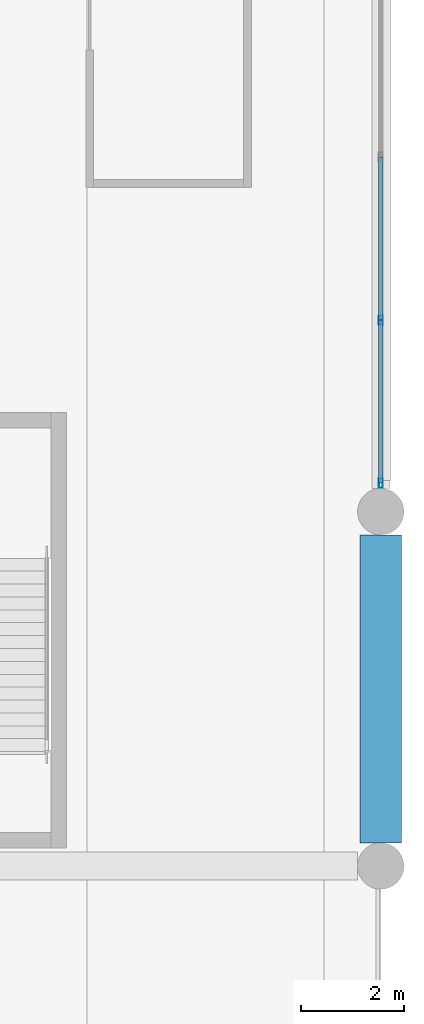
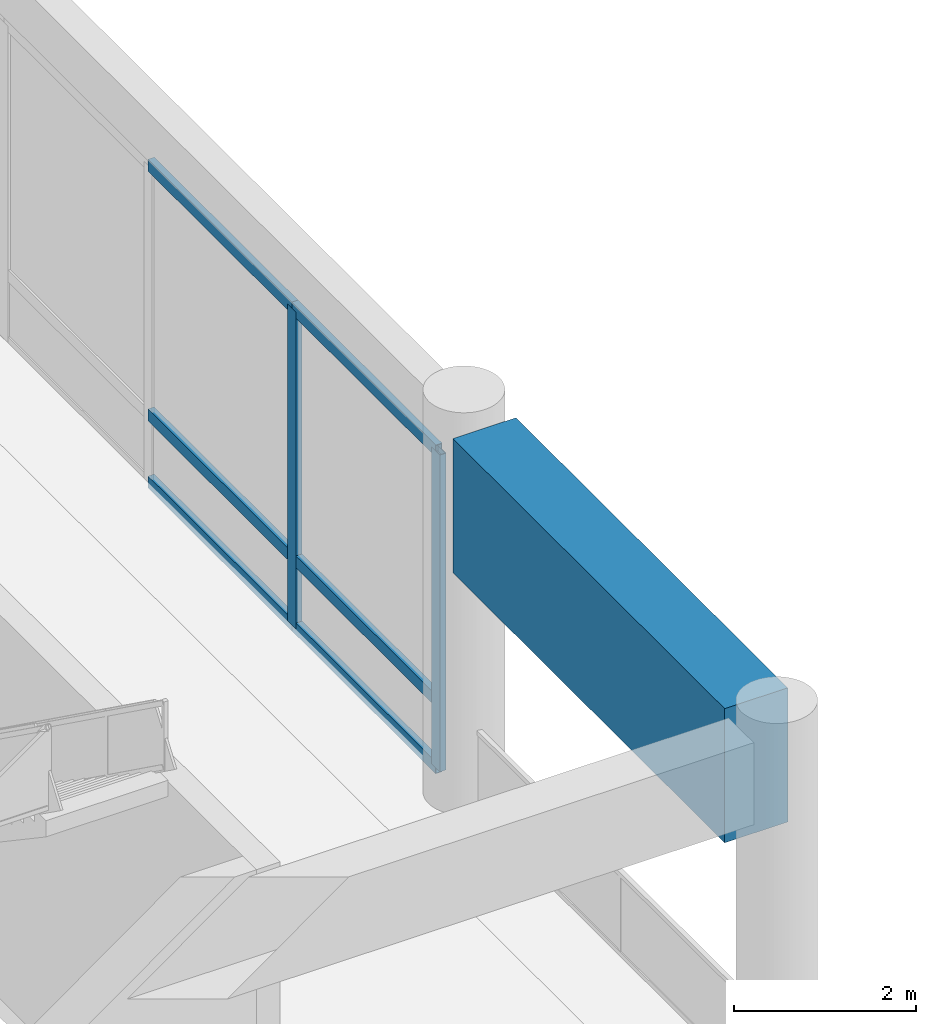
# One storey, part 55 of 117: 8 members, 1 beam, 1 element without a shape of its own.
"""IFC4 building model written with IfcOpenShell, lengths in metres."""

from ifc_helpers import new_model, si_unit, direction, frame, origin, origin_2d, place, context, subcontext, project, spatial, rectangle, hollow_rectangle, extrude, material, material_profile, profile_set, type_object, element, aggregate, save


model = new_model("IFC4")

# Units and contexts
model_context = context("Model", 3, precision=1e-05, world=origin(), true_north=direction((0.0, 1.0)))
body_context = subcontext(model_context, "Body", "Model", "MODEL_VIEW")
ifc_project = project(units=[si_unit("LENGTHUNIT", "METRE"), si_unit("AREAUNIT", "SQUARE_METRE"), si_unit("VOLUMEUNIT", "CUBIC_METRE"), si_unit("PLANEANGLEUNIT", "RADIAN"), si_unit("MASSUNIT", "GRAM", prefix="KILO")], contexts=[model_context])

# Site, building, storey
site_placement = place(None, origin())
site = spatial("IfcSite", under=ifc_project, at=site_placement, CompositionType="ELEMENT")
building_placement = place(site_placement, origin())
building = spatial("IfcBuilding", under=site, at=building_placement, Name="Linyun Crest Stadium", CompositionType="ELEMENT")
storey_placement = place(building_placement, frame((0.0, 0.0, 6.0)))
storey = spatial("IfcBuildingStorey", under=building, at=storey_placement, Name="L02", CompositionType="ELEMENT", Elevation=6.0)

# Beam
ifc_material_1 = material(Name="Concrete C50", Category="concrete")
ifc_material_profile_1 = material_profile(ifc_material_1, rectangle(XDim=0.800048828125, YDim=1.800048828125, at=origin_2d()), Name="RCB 1800x800")
ifc_profile_set_1 = profile_set([ifc_material_profile_1], Name="Concrete C50")
beam_type = type_object("IfcBeamType", Name="B14", PredefinedType="BEAM", material=ifc_profile_set_1)
beam_placement = place(storey_placement, frame((98.0, -45.550048828125, 4.25), z_axis=(0.0, 1.0, 0.0), x_axis=(-1.0, 0.0, 0.0)))
element("IfcBeam", 1, at=beam_placement, inside=storey, type_object=beam_type, Name="Frame beam B14 L02 599", PredefinedType="BEAM", context=body_context, shape_type="SweptSolid", body=[
    extrude(rectangle(XDim=0.800048828125, YDim=1.800048828125, at=origin_2d()), origin(), (0.0, 0.0, 1.0), 5.97509765625),
])

# Curtain wall, members
ifc_material_2 = material(Name="Verdigris steel and low-E curtain wall assembly", Category="steel")
curtain_wall_type = type_object("IfcCurtainWallType", Name="MCW01", PredefinedType="NOTDEFINED", material=ifc_material_2)
curtain_wall_placement = place(storey_placement, origin())
curtain_wall = element("IfcCurtainWall", 2, at=curtain_wall_placement, inside=storey, type_object=curtain_wall_type, Name="CWR-078", PredefinedType="NOTDEFINED")
ifc_material_3 = material(Name="Verdigris painted steel Q355B mullion", Category="steel")
ifc_material_profile_2 = material_profile(ifc_material_3, hollow_rectangle(XDim=0.080078125, YDim=0.179931640625, WallThickness=0.006103515625, at=origin_2d()), Name="RHS 180x80x6")
ifc_profile_set_2 = profile_set([ifc_material_profile_2], Name="Verdigris painted steel Q355B mullion")
member_type_1 = type_object("IfcMemberType", Name="ML02", PredefinedType="MULLION", material=ifc_profile_set_2)
member_1_placement = place(storey_placement, frame((98.0, -38.574951171875, 0.0), z_axis=(0.0, 0.0, 1.0), x_axis=(-1.0, 0.0, 0.0)))
member_1 = element("IfcMember", 3, at=member_1_placement, type_object=member_type_1, Name="CWR-078 mullion 1", PredefinedType="MULLION", context=body_context, shape_type="SweptSolid", body=[
    extrude(hollow_rectangle(XDim=0.080078125, YDim=0.179931640625, WallThickness=0.006103515625, at=origin_2d()), origin(), (0.0, 0.0, 1.0), 4.25),
])
member_2_placement = place(storey_placement, frame((98.0, -35.412109375, 0.0), z_axis=(0.0, 0.0, 1.0), x_axis=(-1.0, 0.0, 0.0)))
member_2 = element("IfcMember", 4, at=member_2_placement, type_object=member_type_1, Name="CWR-078 mullion 2", PredefinedType="MULLION", context=body_context, shape_type="SweptSolid", body=[
    extrude(hollow_rectangle(XDim=0.080078125, YDim=0.179931640625, WallThickness=0.006103515625, at=origin_2d()), origin(), (0.0, 0.0, 1.0), 4.25),
])
ifc_material_4 = material(Name="Aluminium thermally broken transom", Category="aluminium")
ifc_material_profile_3 = material_profile(ifc_material_4, hollow_rectangle(XDim=0.080078125, YDim=0.159912109375, WallThickness=0.006103515625, at=origin_2d()), Name="RHS 160x80x6")
ifc_profile_set_3 = profile_set([ifc_material_profile_3], Name="Aluminium thermally broken transom")
member_type_2 = type_object("IfcMemberType", Name="TR01", PredefinedType="USERDEFINED", material=ifc_profile_set_3)
member_3_placement = place(storey_placement, frame((98.0, -38.574951171875, 0.0), z_axis=(0.0, 1.0, 0.0), x_axis=(-1.0, 0.0, 0.0)))
member_3 = element("IfcMember", 5, at=member_3_placement, type_object=member_type_2, Name="CWR-078 transom 1.1", ObjectType="TRANSOM", PredefinedType="USERDEFINED", context=body_context, shape_type="SweptSolid", body=[
    extrude(hollow_rectangle(XDim=0.080078125, YDim=0.159912109375, WallThickness=0.006103515625, at=origin_2d()), origin(), (0.0, 0.0, 1.0), 3.162841796875),
])
member_4_placement = place(storey_placement, frame((98.0, -38.574951171875, 0.89990234375), z_axis=(0.0, 1.0, 0.0), x_axis=(-1.0, 0.0, 0.0)))
member_4 = element("IfcMember", 6, at=member_4_placement, type_object=member_type_2, Name="CWR-078 transom 1.2", ObjectType="TRANSOM", PredefinedType="USERDEFINED", context=body_context, shape_type="SweptSolid", body=[
    extrude(hollow_rectangle(XDim=0.080078125, YDim=0.159912109375, WallThickness=0.006103515625, at=origin_2d()), origin(), (0.0, 0.0, 1.0), 3.162841796875),
])
member_5_placement = place(storey_placement, frame((98.0, -38.574951171875, 4.25), z_axis=(0.0, 1.0, 0.0), x_axis=(-1.0, 0.0, 0.0)))
member_5 = element("IfcMember", 7, at=member_5_placement, type_object=member_type_2, Name="CWR-078 transom 1.3", ObjectType="TRANSOM", PredefinedType="USERDEFINED", context=body_context, shape_type="SweptSolid", body=[
    extrude(hollow_rectangle(XDim=0.080078125, YDim=0.159912109375, WallThickness=0.006103515625, at=origin_2d()), origin(), (0.0, 0.0, 1.0), 3.162841796875),
])
member_6_placement = place(storey_placement, frame((98.0, -35.412109375, 0.0), z_axis=(0.0, 1.0, 0.0), x_axis=(-1.0, 0.0, 0.0)))
member_6 = element("IfcMember", 8, at=member_6_placement, type_object=member_type_2, Name="CWR-078 transom 2.1", ObjectType="TRANSOM", PredefinedType="USERDEFINED", context=body_context, shape_type="SweptSolid", body=[
    extrude(hollow_rectangle(XDim=0.080078125, YDim=0.159912109375, WallThickness=0.006103515625, at=origin_2d()), origin(), (0.0, 0.0, 1.0), 3.162109375),
])
member_7_placement = place(storey_placement, frame((98.0, -35.412109375, 0.89990234375), z_axis=(0.0, 1.0, 0.0), x_axis=(-1.0, 0.0, 0.0)))
member_7 = element("IfcMember", 9, at=member_7_placement, type_object=member_type_2, Name="CWR-078 transom 2.2", ObjectType="TRANSOM", PredefinedType="USERDEFINED", context=body_context, shape_type="SweptSolid", body=[
    extrude(hollow_rectangle(XDim=0.080078125, YDim=0.159912109375, WallThickness=0.006103515625, at=origin_2d()), origin(), (0.0, 0.0, 1.0), 3.162109375),
])
member_8_placement = place(storey_placement, frame((98.0, -35.412109375, 4.25), z_axis=(0.0, 1.0, 0.0), x_axis=(-1.0, 0.0, 0.0)))
member_8 = element("IfcMember", 10, at=member_8_placement, type_object=member_type_2, Name="CWR-078 transom 2.3", ObjectType="TRANSOM", PredefinedType="USERDEFINED", context=body_context, shape_type="SweptSolid", body=[
    extrude(hollow_rectangle(XDim=0.080078125, YDim=0.159912109375, WallThickness=0.006103515625, at=origin_2d()), origin(), (0.0, 0.0, 1.0), 3.162109375),
])
aggregate(curtain_wall, [member_1, member_2, member_3, member_4, member_5, member_6, member_7, member_8])

save(model, "model.ifc")
